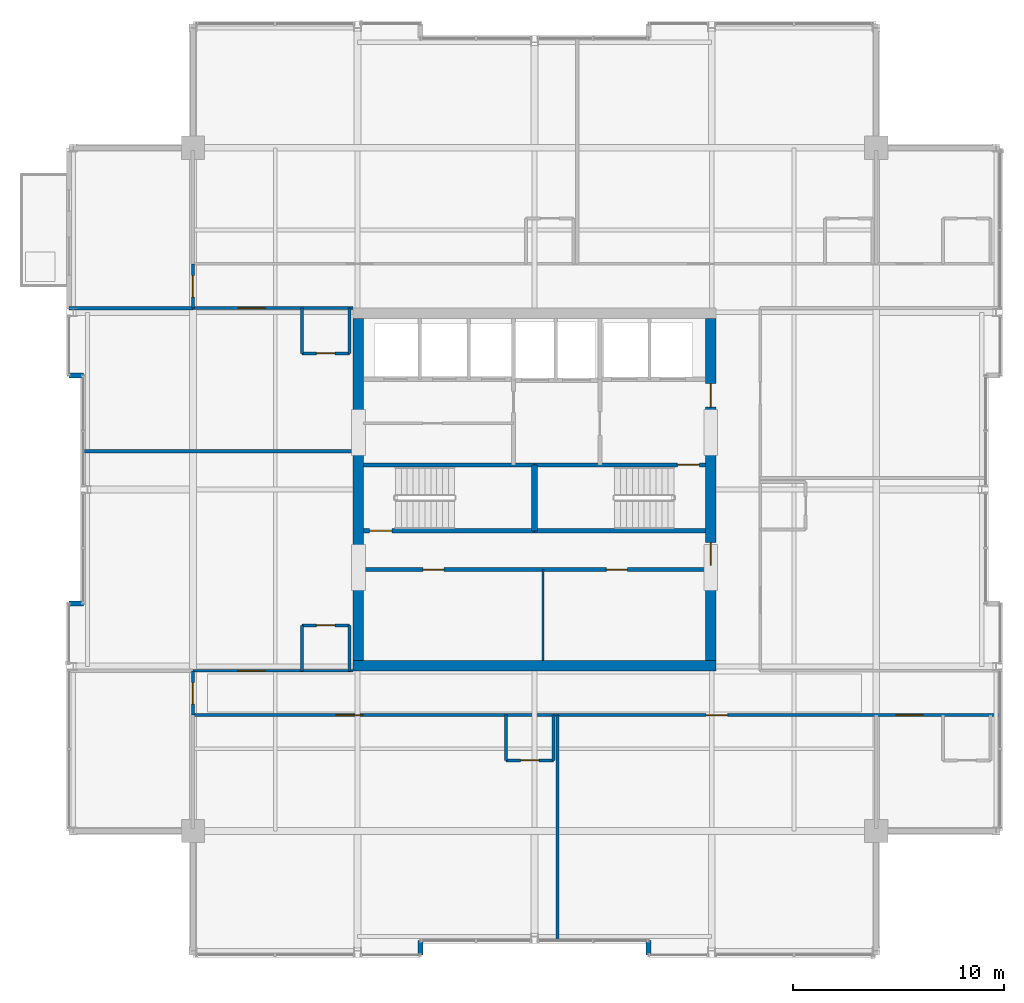
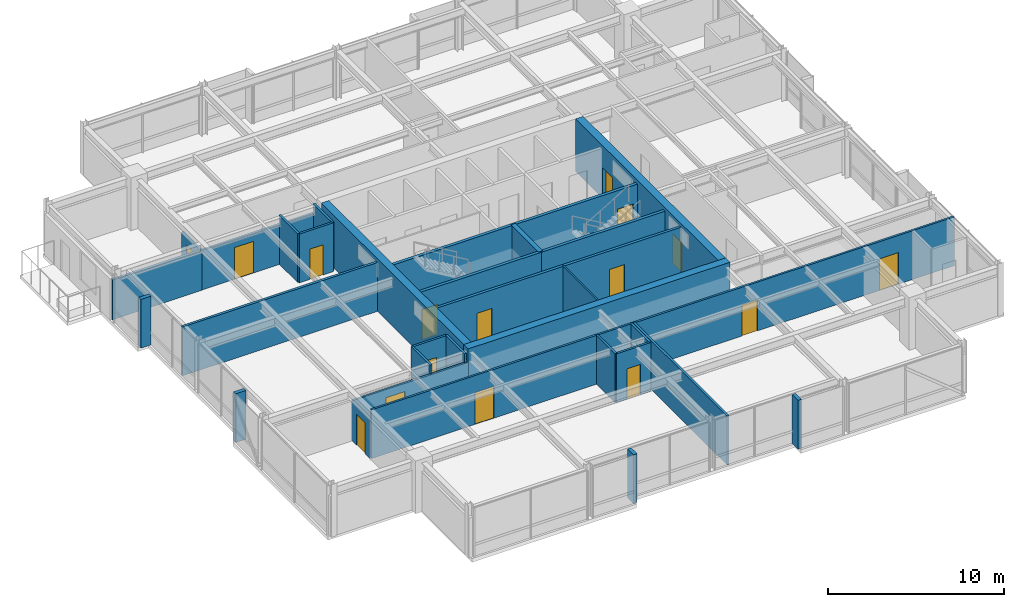
# One storey, part 28 of 33: 31 walls, 16 doors, 16 openings.
"""IFC4 building model written with IfcOpenShell, lengths in metres."""

from ifc_helpers import new_model, si_unit, direction, frame, frame_2d, origin, place, context, subcontext, project, spatial, rectangle, extrude, material, layer, layer_set, type_object, element, fill, save


model = new_model("IFC4")

# Units and contexts
model_context = context("Model", 3, precision=1e-05, world=origin(), true_north=direction((0.0, 1.0)))
body_context = subcontext(model_context, "Body", "Model", "MODEL_VIEW")
ifc_project = project(units=[si_unit("LENGTHUNIT", "METRE"), si_unit("AREAUNIT", "SQUARE_METRE"), si_unit("VOLUMEUNIT", "CUBIC_METRE"), si_unit("PLANEANGLEUNIT", "RADIAN"), si_unit("MASSUNIT", "GRAM", prefix="KILO")], contexts=[model_context])

# Site, building, storey
site_placement = place(None, origin())
site = spatial("IfcSite", under=ifc_project, at=site_placement, CompositionType="ELEMENT")
building_placement = place(site_placement, origin())
building = spatial("IfcBuilding", under=site, at=building_placement, Name="Drelvath Grand Hotel", CompositionType="ELEMENT")
storey_placement = place(building_placement, frame((0.0, 0.0, 275.949951171875)))
storey = spatial("IfcBuildingStorey", under=building, at=storey_placement, Name="L72", CompositionType="ELEMENT", Elevation=275.949951171875)

# Wall
ifc_material_1 = material(Name="Gypsum Partition Board")
ifc_layer_1 = layer(ifc_material_1, 0.10009765625)
ifc_layer_set_1 = layer_set([ifc_layer_1], Name="Gypsum Partition Board")
wall_type_1 = type_object("IfcWallType", Name="Core Closet Partition 100", PredefinedType="PARTITIONING", material=ifc_layer_set_1)
wall_1_placement = place(storey_placement, frame((0.39990234375, 18.89990234375, 0.0), z_axis=(0.0, 0.0, 1.0), x_axis=(0.0, 1.0, 0.0)))
element("IfcWall", 1, at=wall_1_placement, inside=storey, type_object=wall_type_1, Name="L72 Upper Core Split 0", PredefinedType="PARTITIONING", context=body_context, shape_type="SweptSolid", body=[
    extrude(rectangle(XDim=4.300048828125, YDim=0.10009765625, at=frame_2d((2.14990234375, 0.0))), origin(), (0.0, 0.0, 1.0), 3.39013671875),
])

# Wall, opening, door
ifc_material_2 = material(Name="Concrete C40/50", Category="concrete")
ifc_layer_2 = layer(ifc_material_2, 0.199951171875)
ifc_layer_set_2 = layer_set([ifc_layer_2], Name="Concrete C40/50")
wall_type_2 = type_object("IfcWallType", Name="Core Shaft Fire Wall 200", PredefinedType="SOLIDWALL", material=ifc_layer_set_2)
wall_2_placement = place(storey_placement, frame((-8.10009765625, 25.0400390625, 0.0), z_axis=(0.0, 0.0, 1.0), x_axis=(1.0, 0.0, 0.0)))
wall_2 = element("IfcWall", 2, at=wall_2_placement, inside=storey, type_object=wall_type_2, Name="L72 Stair ST-1 South Wall", PredefinedType="SOLIDWALL", context=body_context, shape_type="SweptSolid", body=[
    extrude(rectangle(XDim=8.10009765625, YDim=0.199951171875, at=frame_2d((4.050048828125, 0.0))), origin(), (0.0, 0.0, 1.0), 3.39013671875),
])
opening_1_placement = place(wall_2_placement, frame((0.280029296875, 0.0, 0.0)))
opening_1 = element("IfcOpeningElement", 3, at=opening_1_placement, cuts=wall_2, Name="Opening D-T5G2-001", PredefinedType="OPENING", context=body_context, shape_type="SweptSolid", body=[
    extrude(rectangle(XDim=1.050048828125, YDim=2.10009765625, at=frame_2d((0.52490234375, 1.050048828125))), frame((0.0, 0.10986328125, 0.0), z_axis=(0.0, -1.0, 0.0), x_axis=(1.0, 0.0, 0.0)), (0.0, 0.0, 1.0), 0.219970703125),
])
ifc_material_3 = material(Name="Painted Steel S275", Category="steel")
door_type_1 = type_object("IfcDoorType", Name="Tower Stairwell Fire Door 1050x2100", OperationType="NOTDEFINED", PredefinedType="DOOR", material=ifc_material_3)
door_1_placement = place(opening_1_placement, origin())
door_1 = element("IfcDoor", 4, at=door_1_placement, inside=storey, type_object=door_type_1, Name="L72 Exit Stair ST-1 Door", OperationType="SINGLE_SWING_LEFT", OverallHeight=2.10009765625, OverallWidth=1.050048828125, PredefinedType="DOOR", context=body_context, shape_type="SweptSolid", body=[
    extrude(rectangle(XDim=1.050048828125, YDim=2.10009765625, at=frame_2d((0.52490234375, 1.050048828125))), frame((0.0, 0.02490234375, 0.0), z_axis=(0.0, -1.0, 0.0), x_axis=(1.0, 0.0, 0.0)), (0.0, 0.0, 1.0), 0.050048828125),
])
fill(opening_1, door_1)

# Walls
for number, where, z_axis, x_axis, name in (
    (5, (-8.10009765625, 28.159912109375, 0.0), (0.0, 0.0, 1.0), (1.0, 0.0, 0.0), "L72 Stair ST-1 North Wall"),
    (6, (0.0, 25.0400390625, 0.0), (0.0, 0.0, 1.0), (1.0, 0.0, 0.0), "L72 Stair ST-2 South Wall"),
):
    element("IfcWall", number, at=place(storey_placement, frame(where, z_axis=z_axis, x_axis=x_axis)), inside=storey, type_object=wall_type_2, Name=name, PredefinedType="SOLIDWALL", context=body_context, shape_type="SweptSolid", body=[
        extrude(rectangle(XDim=8.10009765625, YDim=0.199951171875, at=frame_2d((4.050048828125, 0.0))), origin(), (0.0, 0.0, 1.0), 3.39013671875),
    ])

# Wall, opening, door
wall_3_placement = place(storey_placement, frame((8.10009765625, 28.159912109375, 0.0), z_axis=(0.0, 0.0, 1.0), x_axis=(-1.0, 0.0, 0.0)))
wall_3 = element("IfcWall", 7, at=wall_3_placement, inside=storey, type_object=wall_type_2, Name="L72 Stair ST-2 North Wall", PredefinedType="SOLIDWALL", context=body_context, shape_type="SweptSolid", body=[
    extrude(rectangle(XDim=8.10009765625, YDim=0.199951171875, at=frame_2d((4.050048828125, 0.0))), origin(), (0.0, 0.0, 1.0), 3.39013671875),
])
opening_2_placement = place(wall_3_placement, frame((0.280029296875, 0.0, 0.0)))
opening_2 = element("IfcOpeningElement", 8, at=opening_2_placement, cuts=wall_3, Name="Opening D-T5G2-002", PredefinedType="OPENING", context=body_context, shape_type="SweptSolid", body=[
    extrude(rectangle(XDim=1.050048828125, YDim=2.10009765625, at=frame_2d((0.52490234375, 1.050048828125))), frame((0.0, 0.10986328125, 0.0), z_axis=(0.0, -1.0, 0.0), x_axis=(1.0, 0.0, 0.0)), (0.0, 0.0, 1.0), 0.219970703125),
])
door_2_placement = place(opening_2_placement, origin())
door_2 = element("IfcDoor", 9, at=door_2_placement, inside=storey, type_object=door_type_1, Name="L72 Exit Stair ST-2 Door", OperationType="SINGLE_SWING_LEFT", OverallHeight=2.10009765625, OverallWidth=1.050048828125, PredefinedType="DOOR", context=body_context, shape_type="SweptSolid", body=[
    extrude(rectangle(XDim=1.050048828125, YDim=2.10009765625, at=frame_2d((0.52490234375, 1.050048828125))), frame((0.0, 0.02490234375, 0.0), z_axis=(0.0, -1.0, 0.0), x_axis=(1.0, 0.0, 0.0)), (0.0, 0.0, 1.0), 0.050048828125),
])
fill(opening_2, door_2)

# Wall
ifc_layer_3 = layer(ifc_material_2, 0.300048828125)
ifc_layer_set_3 = layer_set([ifc_layer_3], Name="Concrete C40/50")
wall_type_3 = type_object("IfcWallType", Name="Core Shaft Fire Wall 300", PredefinedType="SOLIDWALL", material=ifc_layer_set_3)
wall_4_placement = place(storey_placement, frame((0.0, 25.0400390625, 0.0), z_axis=(0.0, 0.0, 1.0), x_axis=(0.0, 1.0, 0.0)))
element("IfcWall", 10, at=wall_4_placement, inside=storey, type_object=wall_type_3, Name="L72 Core Stair Divider Wall", PredefinedType="SOLIDWALL", context=body_context, shape_type="SweptSolid", body=[
    extrude(rectangle(XDim=3.119873046875, YDim=0.300048828125, at=frame_2d((1.56005859375, 0.0))), origin(), (0.0, 0.0, 1.0), 3.39013671875),
])

# Wall, openings, doors
ifc_material_4 = material(Name="Gypsum Fireboard Partition")
ifc_layer_4 = layer(ifc_material_4, 0.135009765625)
ifc_layer_set_4 = layer_set([ifc_layer_4], Name="Gypsum Fireboard Partition")
wall_type_4 = type_object("IfcWallType", Name="Corridor Fire Barrier Wall 135", PredefinedType="PARTITIONING", material=ifc_layer_set_4)
wall_5_placement = place(storey_placement, frame((-16.199951171875, 16.300048828125, 0.0), z_axis=(0.0, 0.0, 1.0), x_axis=(1.0, 0.0, 0.0)))
wall_5 = element("IfcWall", 11, at=wall_5_placement, inside=storey, type_object=wall_type_4, Name="L72 South Cross-Gallery Wall", PredefinedType="PARTITIONING", context=body_context, shape_type="SweptSolid", body=[
    extrude(rectangle(XDim=38.280029296875, YDim=0.135009765625, at=frame_2d((19.14013671875, 0.0))), origin(), (0.0, 0.0, 1.0), 3.39013671875),
])
opening_3_placement = place(wall_5_placement, frame((33.35498046875, 0.0, 0.0)))
opening_3 = element("IfcOpeningElement", 12, at=opening_3_placement, cuts=wall_5, Name="Opening D-T5G2-020", PredefinedType="OPENING", context=body_context, shape_type="SweptSolid", body=[
    extrude(rectangle(XDim=1.260009765625, YDim=2.199951171875, at=frame_2d((0.6298828125, 1.10009765625))), frame((0.0, 0.077392578125, 0.0), z_axis=(0.0, -1.0, 0.0), x_axis=(1.0, 0.0, 0.0)), (0.0, 0.0, 1.0), 0.155029296875),
])
opening_4_placement = place(wall_5_placement, frame((6.794921875, 0.0, 0.0)))
opening_4 = element("IfcOpeningElement", 13, at=opening_4_placement, cuts=wall_5, Name="Opening D-T5G2-024", PredefinedType="OPENING", context=body_context, shape_type="SweptSolid", body=[
    extrude(rectangle(XDim=1.260009765625, YDim=2.199951171875, at=frame_2d((0.6298828125, 1.10009765625))), frame((0.0, 0.077392578125, 0.0), z_axis=(0.0, -1.0, 0.0), x_axis=(1.0, 0.0, 0.0)), (0.0, 0.0, 1.0), 0.155029296875),
])
opening_5_placement = place(wall_5_placement, frame((24.330078125, 0.0, 0.0)))
opening_5 = element("IfcOpeningElement", 14, at=opening_5_placement, cuts=wall_5, Name="Opening D-T5G2-025", PredefinedType="OPENING", context=body_context, shape_type="SweptSolid", body=[
    extrude(rectangle(XDim=1.02001953125, YDim=2.14990234375, at=frame_2d((0.510009765625, 1.074951171875))), frame((0.0, 0.077392578125, 0.0), z_axis=(0.0, -1.0, 0.0), x_axis=(1.0, 0.0, 0.0)), (0.0, 0.0, 1.0), 0.155029296875),
])
ifc_material_5 = material(Name="Hardwood Walnut Timber", Category="wood")
door_type_2 = type_object("IfcDoorType", Name="Amenity Meeting Fire Door 1020x2150", OperationType="NOTDEFINED", PredefinedType="DOOR", material=ifc_material_5)
door_3_placement = place(opening_5_placement, origin())
door_3 = element("IfcDoor", 15, at=door_3_placement, inside=storey, type_object=door_type_2, Name="L72 Presidential Boardroom Entry Door", OperationType="SINGLE_SWING_RIGHT", OverallHeight=2.14990234375, OverallWidth=1.02001953125, PredefinedType="DOOR", context=body_context, shape_type="SweptSolid", body=[
    extrude(rectangle(XDim=1.02001953125, YDim=2.14990234375, at=frame_2d((0.510009765625, 1.074951171875))), frame((0.0, 0.02490234375, 0.0), z_axis=(0.0, -1.0, 0.0), x_axis=(1.0, 0.0, 0.0)), (0.0, 0.0, 1.0), 0.050048828125),
])
fill(opening_5, door_3)
door_type_3 = type_object("IfcDoorType", Name="Suite Entrance Fire Door 1260x2200", OperationType="NOTDEFINED", PredefinedType="DOOR", material=ifc_material_5)
door_4_placement = place(opening_3_placement, origin())
door_4 = element("IfcDoor", 16, at=door_4_placement, inside=storey, type_object=door_type_3, Name="L72 Royal Suite Entry Door", OperationType="SINGLE_SWING_LEFT", OverallHeight=2.199951171875, OverallWidth=1.260009765625, PredefinedType="DOOR", context=body_context, shape_type="SweptSolid", body=[
    extrude(rectangle(XDim=1.260009765625, YDim=2.199951171875, at=frame_2d((0.6298828125, 1.10009765625))), frame((0.0, 0.02490234375, 0.0), z_axis=(0.0, -1.0, 0.0), x_axis=(1.0, 0.0, 0.0)), (0.0, 0.0, 1.0), 0.050048828125),
])
fill(opening_3, door_4)
door_5_placement = place(opening_4_placement, origin())
door_5 = element("IfcDoor", 17, at=door_5_placement, inside=storey, type_object=door_type_3, Name="L72 Royal Suite Entry Door", OperationType="SINGLE_SWING_LEFT", OverallHeight=2.199951171875, OverallWidth=1.260009765625, PredefinedType="DOOR", context=body_context, shape_type="SweptSolid", body=[
    extrude(rectangle(XDim=1.260009765625, YDim=2.199951171875, at=frame_2d((0.6298828125, 1.10009765625))), frame((0.0, 0.02490234375, 0.0), z_axis=(0.0, -1.0, 0.0), x_axis=(1.0, 0.0, 0.0)), (0.0, 0.0, 1.0), 0.050048828125),
])
fill(opening_4, door_5)

# Wall, opening, door
wall_6_placement = place(storey_placement, frame((-16.199951171875, 18.39990234375, 0.0), z_axis=(0.0, 0.0, 1.0), x_axis=(1.0, 0.0, 0.0)))
wall_6 = element("IfcWall", 18, at=wall_6_placement, inside=storey, type_object=wall_type_4, Name="L72 South Gallery Inner West Wall", PredefinedType="PARTITIONING", context=body_context, shape_type="SweptSolid", body=[
    extrude(rectangle(XDim=7.599853515625, YDim=0.135009765625, at=frame_2d((3.7998046875, 0.0))), origin(), (0.0, 0.0, 1.0), 2.767333984375),
])
opening_6_placement = place(wall_6_placement, frame((2.155029296875, 0.0, 0.0)))
opening_6 = element("IfcOpeningElement", 19, at=opening_6_placement, cuts=wall_6, Name="Opening D-T5G2-034", PredefinedType="OPENING", context=body_context, shape_type="SweptSolid", body=[
    extrude(rectangle(XDim=1.260009765625, YDim=2.199951171875, at=frame_2d((0.6298828125, 1.10009765625))), frame((0.0, 0.077392578125, 0.0), z_axis=(0.0, -1.0, 0.0), x_axis=(1.0, 0.0, 0.0)), (0.0, 0.0, 1.0), 0.155029296875),
])
door_6_placement = place(opening_6_placement, origin())
door_6 = element("IfcDoor", 20, at=door_6_placement, inside=storey, type_object=door_type_3, Name="L72 Royal Suite Entry Door", OperationType="SINGLE_SWING_LEFT", OverallHeight=2.199951171875, OverallWidth=1.260009765625, PredefinedType="DOOR", context=body_context, shape_type="SweptSolid", body=[
    extrude(rectangle(XDim=1.260009765625, YDim=2.199951171875, at=frame_2d((0.6298828125, 1.10009765625))), frame((0.0, 0.02490234375, 0.0), z_axis=(0.0, -1.0, 0.0), x_axis=(1.0, 0.0, 0.0)), (0.0, 0.0, 1.0), 0.050048828125),
])
fill(opening_6, door_6)

wall_7_placement = place(storey_placement, frame((-16.199951171875, 35.60009765625, 0.0), z_axis=(0.0, 0.0, 1.0), x_axis=(1.0, 0.0, 0.0)))
wall_7 = element("IfcWall", 21, at=wall_7_placement, inside=storey, type_object=wall_type_4, Name="L72 North Gallery Inner West Wall", PredefinedType="PARTITIONING", context=body_context, shape_type="SweptSolid", body=[
    extrude(rectangle(XDim=7.599853515625, YDim=0.135009765625, at=frame_2d((3.7998046875, 0.0))), origin(), (0.0, 0.0, 1.0), 2.767333984375),
])
opening_7_placement = place(wall_7_placement, frame((2.155029296875, 0.0, 0.0)))
opening_7 = element("IfcOpeningElement", 22, at=opening_7_placement, cuts=wall_7, Name="Opening D-T5G2-036", PredefinedType="OPENING", context=body_context, shape_type="SweptSolid", body=[
    extrude(rectangle(XDim=1.260009765625, YDim=2.199951171875, at=frame_2d((0.6298828125, 1.10009765625))), frame((0.0, 0.077392578125, 0.0), z_axis=(0.0, -1.0, 0.0), x_axis=(1.0, 0.0, 0.0)), (0.0, 0.0, 1.0), 0.155029296875),
])
door_7_placement = place(opening_7_placement, origin())
door_7 = element("IfcDoor", 23, at=door_7_placement, inside=storey, type_object=door_type_3, Name="L72 Royal Suite Entry Door", OperationType="SINGLE_SWING_LEFT", OverallHeight=2.199951171875, OverallWidth=1.260009765625, PredefinedType="DOOR", context=body_context, shape_type="SweptSolid", body=[
    extrude(rectangle(XDim=1.260009765625, YDim=2.199951171875, at=frame_2d((0.6298828125, 1.10009765625))), frame((0.0, 0.02490234375, 0.0), z_axis=(0.0, -1.0, 0.0), x_axis=(1.0, 0.0, 0.0)), (0.0, 0.0, 1.0), 0.050048828125),
])
fill(opening_7, door_7)

wall_8_placement = place(storey_placement, frame((-16.199951171875, 16.300048828125, 0.0), z_axis=(0.0, 0.0, 1.0), x_axis=(0.0, 1.0, 0.0)))
wall_8 = element("IfcWall", 24, at=wall_8_placement, inside=storey, type_object=wall_type_4, Name="L72 South Gallery West End", PredefinedType="PARTITIONING", context=body_context, shape_type="SweptSolid", body=[
    extrude(rectangle(XDim=2.099853515625, YDim=0.135009765625, at=frame_2d((1.0498046875, 0.0))), origin(), (0.0, 0.0, 1.0), 2.763916015625),
])
opening_8_placement = place(wall_8_placement, frame((0.52001953125, 0.0, 0.0)))
opening_8 = element("IfcOpeningElement", 25, at=opening_8_placement, cuts=wall_8, Name="Opening D-T5G2-017", PredefinedType="OPENING", context=body_context, shape_type="SweptSolid", body=[
    extrude(rectangle(XDim=1.02001953125, YDim=2.14990234375, at=frame_2d((0.510009765625, 1.074951171875))), frame((0.0, 0.077392578125, 0.0), z_axis=(0.0, -1.0, 0.0), x_axis=(1.0, 0.0, 0.0)), (0.0, 0.0, 1.0), 0.155029296875),
])
door_8_placement = place(opening_8_placement, origin())
door_8 = element("IfcDoor", 26, at=door_8_placement, inside=storey, type_object=door_type_2, Name="L72 Corner Panorama Lounge Door", OperationType="SINGLE_SWING_RIGHT", OverallHeight=2.14990234375, OverallWidth=1.02001953125, PredefinedType="DOOR", context=body_context, shape_type="SweptSolid", body=[
    extrude(rectangle(XDim=1.02001953125, YDim=2.14990234375, at=frame_2d((0.510009765625, 1.074951171875))), frame((0.0, 0.02490234375, 0.0), z_axis=(0.0, -1.0, 0.0), x_axis=(1.0, 0.0, 0.0)), (0.0, 0.0, 1.0), 0.050048828125),
])
fill(opening_8, door_8)

wall_9_placement = place(storey_placement, frame((-16.199951171875, 35.60009765625, 0.0), z_axis=(0.0, 0.0, 1.0), x_axis=(0.0, 1.0, 0.0)))
wall_9 = element("IfcWall", 27, at=wall_9_placement, inside=storey, type_object=wall_type_4, Name="L72 North Gallery West End", PredefinedType="PARTITIONING", context=body_context, shape_type="SweptSolid", body=[
    extrude(rectangle(XDim=2.099853515625, YDim=0.135009765625, at=frame_2d((1.0498046875, 0.0))), origin(), (0.0, 0.0, 1.0), 2.763916015625),
])
opening_9_placement = place(wall_9_placement, frame((0.52001953125, 0.0, 0.0)))
opening_9 = element("IfcOpeningElement", 28, at=opening_9_placement, cuts=wall_9, Name="Opening D-T5G2-018", PredefinedType="OPENING", context=body_context, shape_type="SweptSolid", body=[
    extrude(rectangle(XDim=1.02001953125, YDim=2.14990234375, at=frame_2d((0.510009765625, 1.074951171875))), frame((0.0, 0.077392578125, 0.0), z_axis=(0.0, -1.0, 0.0), x_axis=(1.0, 0.0, 0.0)), (0.0, 0.0, 1.0), 0.155029296875),
])
door_9_placement = place(opening_9_placement, origin())
door_9 = element("IfcDoor", 29, at=door_9_placement, inside=storey, type_object=door_type_2, Name="L72 Corner Panorama Lounge Door", OperationType="SINGLE_SWING_LEFT", OverallHeight=2.14990234375, OverallWidth=1.02001953125, PredefinedType="DOOR", context=body_context, shape_type="SweptSolid", body=[
    extrude(rectangle(XDim=1.02001953125, YDim=2.14990234375, at=frame_2d((0.510009765625, 1.074951171875))), frame((0.0, 0.02490234375, 0.0), z_axis=(0.0, -1.0, 0.0), x_axis=(1.0, 0.0, 0.0)), (0.0, 0.0, 1.0), 0.050048828125),
])
fill(opening_9, door_9)

# Walls
ifc_material_6 = material(Name="Moisture-Resistant Gypsum Board")
ifc_layer_5 = layer(ifc_material_6, 0.139892578125)
ifc_layer_set_5 = layer_set([ifc_layer_5], Name="Moisture-Resistant Gypsum Board")
wall_type_5 = type_object("IfcWallType", Name="En-Suite Plumbing Wall 140", PredefinedType="PLUMBINGWALL", material=ifc_layer_set_5)
for number, where, z_axis, x_axis, name in (
    (30, (-1.35009765625, 16.300048828125, 0.0), (0.0, 0.0, 1.0), (0.0, -1.0, 0.0), "L72 En-Suite Left Wall"),
    (31, (0.89990234375, 16.300048828125, 0.0), (0.0, 0.0, 1.0), (0.0, -1.0, 0.0), "L72 En-Suite Right Wall"),
):
    element("IfcWall", number, at=place(storey_placement, frame(where, z_axis=z_axis, x_axis=x_axis)), inside=storey, type_object=wall_type_5, Name=name, PredefinedType="PLUMBINGWALL", context=body_context, shape_type="SweptSolid", body=[
        extrude(rectangle(XDim=2.150146484375, YDim=0.139892578125, at=frame_2d((1.0751953125, 0.0))), origin(), (0.0, 0.0, 1.0), 3.39013671875),
    ])

# Wall, opening, door
wall_10_placement = place(storey_placement, frame((-1.35009765625, 14.14990234375, 0.0), z_axis=(0.0, 0.0, 1.0), x_axis=(1.0, 0.0, 0.0)))
wall_10 = element("IfcWall", 32, at=wall_10_placement, inside=storey, type_object=wall_type_5, Name="L72 En-Suite Front Wall", PredefinedType="PLUMBINGWALL", context=body_context, shape_type="SweptSolid", body=[
    extrude(rectangle(XDim=2.25, YDim=0.139892578125, at=frame_2d((1.125, 0.0))), origin(), (0.0, 0.0, 1.0), 3.39013671875),
])
opening_10_placement = place(wall_10_placement, frame((0.68505859375, 0.0, 0.0)))
opening_10 = element("IfcOpeningElement", 33, at=opening_10_placement, cuts=wall_10, Name="Opening D-T5G2-023", PredefinedType="OPENING", context=body_context, shape_type="SweptSolid", body=[
    extrude(rectangle(XDim=0.8798828125, YDim=2.10009765625, at=frame_2d((0.43994140625, 1.050048828125))), frame((0.0, 0.079833984375, 0.0), z_axis=(0.0, -1.0, 0.0), x_axis=(1.0, 0.0, 0.0)), (0.0, 0.0, 1.0), 0.159912109375),
])
door_type_4 = type_object("IfcDoorType", Name="En-Suite Bathroom Door 880x2100", OperationType="NOTDEFINED", PredefinedType="DOOR", material=ifc_material_5)
door_10_placement = place(opening_10_placement, origin())
door_10 = element("IfcDoor", 34, at=door_10_placement, inside=storey, type_object=door_type_4, Name="L72 En-Suite Bathroom Door", OperationType="SINGLE_SWING_RIGHT", OverallHeight=2.10009765625, OverallWidth=0.8798828125, PredefinedType="DOOR", context=body_context, shape_type="SweptSolid", body=[
    extrude(rectangle(XDim=0.8798828125, YDim=2.10009765625, at=frame_2d((0.43994140625, 1.050048828125))), frame((0.0, 0.02490234375, 0.0), z_axis=(0.0, -1.0, 0.0), x_axis=(1.0, 0.0, 0.0)), (0.0, 0.0, 1.0), 0.050048828125),
])
fill(opening_10, door_10)

# Walls
for number, where, z_axis, x_axis, name in (
    (35, (-11.030029296875, 18.39990234375, 0.0), (0.0, 0.0, 1.0), (0.0, 1.0, 0.0), "L72 En-Suite Left Wall"),
    (36, (-8.780029296875, 18.39990234375, 0.0), (0.0, 0.0, 1.0), (0.0, 1.0, 0.0), "L72 En-Suite Right Wall"),
):
    element("IfcWall", number, at=place(storey_placement, frame(where, z_axis=z_axis, x_axis=x_axis)), inside=storey, type_object=wall_type_5, Name=name, PredefinedType="PLUMBINGWALL", context=body_context, shape_type="SweptSolid", body=[
        extrude(rectangle(XDim=2.150146484375, YDim=0.139892578125, at=frame_2d((1.0751953125, 0.0))), origin(), (0.0, 0.0, 1.0), 3.39013671875),
    ])

# Wall, opening, door
wall_11_placement = place(storey_placement, frame((-11.030029296875, 20.550048828125, 0.0), z_axis=(0.0, 0.0, 1.0), x_axis=(1.0, 0.0, 0.0)))
wall_11 = element("IfcWall", 37, at=wall_11_placement, inside=storey, type_object=wall_type_5, Name="L72 En-Suite Front Wall", PredefinedType="PLUMBINGWALL", context=body_context, shape_type="SweptSolid", body=[
    extrude(rectangle(XDim=2.25, YDim=0.139892578125, at=frame_2d((1.125, 0.0))), origin(), (0.0, 0.0, 1.0), 3.39013671875),
])
opening_11_placement = place(wall_11_placement, frame((0.68505859375, 0.0, 0.0)))
opening_11 = element("IfcOpeningElement", 38, at=opening_11_placement, cuts=wall_11, Name="Opening D-T5G2-033", PredefinedType="OPENING", context=body_context, shape_type="SweptSolid", body=[
    extrude(rectangle(XDim=0.8798828125, YDim=2.10009765625, at=frame_2d((0.43994140625, 1.050048828125))), frame((0.0, 0.079833984375, 0.0), z_axis=(0.0, -1.0, 0.0), x_axis=(1.0, 0.0, 0.0)), (0.0, 0.0, 1.0), 0.159912109375),
])
door_11_placement = place(opening_11_placement, origin())
door_11 = element("IfcDoor", 39, at=door_11_placement, inside=storey, type_object=door_type_4, Name="L72 En-Suite Bathroom Door", OperationType="SINGLE_SWING_RIGHT", OverallHeight=2.10009765625, OverallWidth=0.8798828125, PredefinedType="DOOR", context=body_context, shape_type="SweptSolid", body=[
    extrude(rectangle(XDim=0.8798828125, YDim=2.10009765625, at=frame_2d((0.43994140625, 1.050048828125))), frame((0.0, 0.02490234375, 0.0), z_axis=(0.0, -1.0, 0.0), x_axis=(1.0, 0.0, 0.0)), (0.0, 0.0, 1.0), 0.050048828125),
])
fill(opening_11, door_11)

# Walls
for number, where, z_axis, x_axis, name in (
    (40, (-11.030029296875, 35.60009765625, 0.0), (0.0, 0.0, 1.0), (0.0, -1.0, 0.0), "L72 En-Suite Left Wall"),
    (41, (-8.780029296875, 35.60009765625, 0.0), (0.0, 0.0, 1.0), (0.0, -1.0, 0.0), "L72 En-Suite Right Wall"),
):
    element("IfcWall", number, at=place(storey_placement, frame(where, z_axis=z_axis, x_axis=x_axis)), inside=storey, type_object=wall_type_5, Name=name, PredefinedType="PLUMBINGWALL", context=body_context, shape_type="SweptSolid", body=[
        extrude(rectangle(XDim=2.150146484375, YDim=0.139892578125, at=frame_2d((1.0751953125, 0.0))), origin(), (0.0, 0.0, 1.0), 3.39013671875),
    ])

# Wall, opening, door
wall_12_placement = place(storey_placement, frame((-11.030029296875, 33.449951171875, 0.0), z_axis=(0.0, 0.0, 1.0), x_axis=(1.0, 0.0, 0.0)))
wall_12 = element("IfcWall", 42, at=wall_12_placement, inside=storey, type_object=wall_type_5, Name="L72 En-Suite Front Wall", PredefinedType="PLUMBINGWALL", context=body_context, shape_type="SweptSolid", body=[
    extrude(rectangle(XDim=2.25, YDim=0.139892578125, at=frame_2d((1.125, 0.0))), origin(), (0.0, 0.0, 1.0), 3.39013671875),
])
opening_12_placement = place(wall_12_placement, frame((0.68505859375, 0.0, 0.0)))
opening_12 = element("IfcOpeningElement", 43, at=opening_12_placement, cuts=wall_12, Name="Opening D-T5G2-035", PredefinedType="OPENING", context=body_context, shape_type="SweptSolid", body=[
    extrude(rectangle(XDim=0.8798828125, YDim=2.10009765625, at=frame_2d((0.43994140625, 1.050048828125))), frame((0.0, 0.079833984375, 0.0), z_axis=(0.0, -1.0, 0.0), x_axis=(1.0, 0.0, 0.0)), (0.0, 0.0, 1.0), 0.159912109375),
])
door_12_placement = place(opening_12_placement, origin())
door_12 = element("IfcDoor", 44, at=door_12_placement, inside=storey, type_object=door_type_4, Name="L72 En-Suite Bathroom Door", OperationType="SINGLE_SWING_RIGHT", OverallHeight=2.10009765625, OverallWidth=0.8798828125, PredefinedType="DOOR", context=body_context, shape_type="SweptSolid", body=[
    extrude(rectangle(XDim=0.8798828125, YDim=2.10009765625, at=frame_2d((0.43994140625, 1.050048828125))), frame((0.0, 0.02490234375, 0.0), z_axis=(0.0, -1.0, 0.0), x_axis=(1.0, 0.0, 0.0)), (0.0, 0.0, 1.0), 0.050048828125),
])
fill(opening_12, door_12)

# Wall, openings, doors
ifc_layer_6 = layer(ifc_material_4, 0.179931640625)
ifc_layer_set_6 = layer_set([ifc_layer_6], Name="Gypsum Fireboard Partition")
wall_type_6 = type_object("IfcWallType", Name="FSAE Smoke Lobby Fire Wall 180", PredefinedType="SOLIDWALL", material=ifc_layer_set_6)
wall_13_placement = place(storey_placement, frame((-8.10009765625, 23.199951171875, 0.0), z_axis=(0.0, 0.0, 1.0), x_axis=(1.0, 0.0, 0.0)))
wall_13 = element("IfcWall", 45, at=wall_13_placement, inside=storey, type_object=wall_type_6, Name="L72 Upper Reclaimed Core Wall", PredefinedType="SOLIDWALL", context=body_context, shape_type="SweptSolid", body=[
    extrude(rectangle(XDim=16.2001953125, YDim=0.179931640625, at=frame_2d((8.10009765625, 0.0))), origin(), (0.0, 0.0, 1.0), 3.39013671875),
])
opening_13_placement = place(wall_13_placement, frame((2.800048828125, 0.0, 0.0)))
opening_13 = element("IfcOpeningElement", 46, at=opening_13_placement, cuts=wall_13, Name="Opening D-T5G2-015", PredefinedType="OPENING", context=body_context, shape_type="SweptSolid", body=[
    extrude(rectangle(XDim=1.0, YDim=2.10009765625, at=frame_2d((0.5, 1.050048828125))), frame((0.0, 0.099853515625, 0.0), z_axis=(0.0, -1.0, 0.0), x_axis=(1.0, 0.0, 0.0)), (0.0, 0.0, 1.0), 0.199951171875),
])
opening_14_placement = place(wall_13_placement, frame((11.5, 0.0, 0.0)))
opening_14 = element("IfcOpeningElement", 47, at=opening_14_placement, cuts=wall_13, Name="Opening D-T5G2-016", PredefinedType="OPENING", context=body_context, shape_type="SweptSolid", body=[
    extrude(rectangle(XDim=1.0, YDim=2.10009765625, at=frame_2d((0.5, 1.050048828125))), frame((0.0, 0.099853515625, 0.0), z_axis=(0.0, -1.0, 0.0), x_axis=(1.0, 0.0, 0.0)), (0.0, 0.0, 1.0), 0.199951171875),
])
door_type_5 = type_object("IfcDoorType", Name="Core Service Fire Door 1000x2100", OperationType="NOTDEFINED", PredefinedType="DOOR", material=ifc_material_3)
door_13_placement = place(opening_13_placement, origin())
door_13 = element("IfcDoor", 48, at=door_13_placement, inside=storey, type_object=door_type_5, Name="L72 Housekeeping Door", OperationType="SINGLE_SWING_RIGHT", OverallHeight=2.10009765625, OverallWidth=1.0, PredefinedType="DOOR", context=body_context, shape_type="SweptSolid", body=[
    extrude(rectangle(XDim=1.0, YDim=2.10009765625, at=frame_2d((0.5, 1.050048828125))), frame((0.0, 0.02490234375, 0.0), z_axis=(0.0, -1.0, 0.0), x_axis=(1.0, 0.0, 0.0)), (0.0, 0.0, 1.0), 0.050048828125),
])
fill(opening_13, door_13)
door_14_placement = place(opening_14_placement, origin())
door_14 = element("IfcDoor", 49, at=door_14_placement, inside=storey, type_object=door_type_5, Name="L72 Butler Pantry Door", OperationType="SINGLE_SWING_LEFT", OverallHeight=2.10009765625, OverallWidth=1.0, PredefinedType="DOOR", context=body_context, shape_type="SweptSolid", body=[
    extrude(rectangle(XDim=1.0, YDim=2.10009765625, at=frame_2d((0.5, 1.050048828125))), frame((0.0, 0.02490234375, 0.0), z_axis=(0.0, -1.0, 0.0), x_axis=(1.0, 0.0, 0.0)), (0.0, 0.0, 1.0), 0.050048828125),
])
fill(opening_14, door_14)

# Walls
ifc_material_7 = material(Name="Gypsum Acoustic Partition")
ifc_layer_7 = layer(ifc_material_7, 0.14990234375)
ifc_layer_set_7 = layer_set([ifc_layer_7], Name="Gypsum Acoustic Partition")
wall_type_7 = type_object("IfcWallType", Name="Guestroom Demising Wall 150", PredefinedType="PARTITIONING", material=ifc_layer_set_7)
wall_14_placement = place(storey_placement, frame((1.080078125, 5.60009765625, 0.0), z_axis=(0.0, 0.0, 1.0), x_axis=(0.0, 1.0, 0.0)))
element("IfcWall", 50, at=wall_14_placement, inside=storey, type_object=wall_type_7, Name="L72 South Demising 1", PredefinedType="PARTITIONING", context=body_context, shape_type="SweptSolid", body=[
    extrude(rectangle(XDim=10.699951171875, YDim=0.14990234375, at=frame_2d((5.35009765625, 0.0))), origin(), (0.0, 0.0, 1.0), 3.39013671875),
])
ifc_layer_8 = layer(ifc_material_7, 0.1650390625)
ifc_layer_set_8 = layer_set([ifc_layer_8], Name="Gypsum Acoustic Partition")
wall_type_8 = type_object("IfcWallType", Name="Suite Demising Wall 165", PredefinedType="PARTITIONING", material=ifc_layer_set_8)
wall_15_placement = place(storey_placement, frame((-22.080078125, 35.60009765625, 0.0), z_axis=(0.0, 0.0, 1.0), x_axis=(1.0, 0.0, 0.0)))
element("IfcWall", 51, at=wall_15_placement, inside=storey, type_object=wall_type_8, Name="L72 NW Corner South Wall", PredefinedType="PARTITIONING", context=body_context, shape_type="SweptSolid", body=[
    extrude(rectangle(XDim=5.880126953125, YDim=0.1650390625, at=frame_2d((2.93994140625, 0.0))), origin(), (0.0, 0.0, 1.0), 2.763916015625),
])
wall_16_placement = place(storey_placement, frame((-21.39990234375, 28.800048828125, 0.0), z_axis=(0.0, 0.0, 1.0), x_axis=(1.0, 0.0, 0.0)))
element("IfcWall", 52, at=wall_16_placement, inside=storey, type_object=wall_type_8, Name="L72 West Grand Suite Split Wall", PredefinedType="PARTITIONING", context=body_context, shape_type="SweptSolid", body=[
    extrude(rectangle(XDim=12.7998046875, YDim=0.1650390625, at=frame_2d((6.39990234375, 0.0))), origin(), (0.0, 0.0, 1.0), 3.39013671875),
])
ifc_material_8 = material(Name="Pale-Metal Insulated Aluminium Spandrel Assembly", Category="aluminium")
ifc_layer_9 = layer(ifc_material_8, 0.239990234375)
ifc_layer_set_9 = layer_set([ifc_layer_9], Name="Pale-Metal Insulated Aluminium Spandrel Assembly")
wall_type_9 = type_object("IfcWallType", Name="Tower Insulated Metal Spandrel Closure Wall 240", PredefinedType="STANDARD", material=ifc_layer_set_9)
for number, where, z_axis, x_axis, name in (
    (53, (-22.080078125, 21.60009765625, 0.0), (0.0, 0.0, 1.0), (1.0, 0.0, 0.0), "L72 Notched Corner Return Spandrel Wall RW1"),
    (54, (-21.39990234375, 32.39990234375, 0.0), (0.0, 0.0, 1.0), (-1.0, 0.0, 0.0), "L72 Notched Corner Return Spandrel Wall RW2"),
    (55, (5.39990234375, 4.919921875, 0.0), (0.0, 0.0, 1.0), (0.0, 1.0, 0.0), "L72 Notched Corner Return Spandrel Wall RS1"),
    (56, (-5.39990234375, 5.60009765625, 0.0), (0.0, 0.0, 1.0), (0.0, -1.0, 0.0), "L72 Notched Corner Return Spandrel Wall RS2"),
):
    element("IfcWall", number, at=place(storey_placement, frame(where, z_axis=z_axis, x_axis=x_axis)), inside=storey, type_object=wall_type_9, Name=name, PredefinedType="STANDARD", context=body_context, shape_type="SweptSolid", body=[
        extrude(rectangle(XDim=0.68017578125, YDim=0.239990234375, at=frame_2d((0.340087890625, 0.0))), origin(), (0.0, 0.0, 1.0), 3.39013671875),
    ])

# Wall, openings, doors
ifc_material_9 = material(Name="Concrete f'c 55 MPa", Category="concrete")
ifc_layer_10 = layer(ifc_material_9, 0.5)
ifc_layer_set_10 = layer_set([ifc_layer_10], Name="Concrete f'c 55 MPa")
wall_type_10 = type_object("IfcWallType", Name="Upper Core RC Shear Wall 500", PredefinedType="SHEAR", material=ifc_layer_set_10)
wall_17_placement = place(storey_placement, frame((8.35009765625, 35.10009765625, 0.0), z_axis=(0.0, 0.0, 1.0), x_axis=(0.0, -1.0, 0.0)))
wall_17 = element("IfcWall", 57, at=wall_17_placement, inside=storey, type_object=wall_type_10, Name="L72 Central Core Shear Wall E", PredefinedType="SHEAR", context=body_context, shape_type="SweptSolid", body=[
    extrude(rectangle(XDim=16.2001953125, YDim=0.5, at=frame_2d((8.10009765625, 0.0))), origin(), (0.0, 0.0, 1.0), 3.650146484375),
])
opening_15_placement = place(wall_17_placement, frame((3.080078125, 0.0, 0.0)))
opening_15 = element("IfcOpeningElement", 58, at=opening_15_placement, cuts=wall_17, Name="Opening D-T5G2-006", PredefinedType="OPENING", context=body_context, shape_type="SweptSolid", body=[
    extrude(rectangle(XDim=1.1201171875, YDim=2.10009765625, at=frame_2d((0.56005859375, 1.050048828125))), frame((0.0, 0.260009765625, 0.0), z_axis=(0.0, -1.0, 0.0), x_axis=(1.0, 0.0, 0.0)), (0.0, 0.0, 1.0), 0.52001953125),
])
opening_16_placement = place(wall_17_placement, frame((10.6201171875, 0.0, 0.0)))
opening_16 = element("IfcOpeningElement", 59, at=opening_16_placement, cuts=wall_17, Name="Opening D-T5G2-014", PredefinedType="OPENING", context=body_context, shape_type="SweptSolid", body=[
    extrude(rectangle(XDim=1.080078125, YDim=2.0400390625, at=frame_2d((0.5400390625, 1.02001953125))), frame((0.0, 0.260009765625, 0.0), z_axis=(0.0, -1.0, 0.0), x_axis=(1.0, 0.0, 0.0)), (0.0, 0.0, 1.0), 0.52001953125),
])
door_type_6 = type_object("IfcDoorType", Name="Core Corridor Fire Door 1080x2100", OperationType="NOTDEFINED", PredefinedType="DOOR", material=ifc_material_3)
door_15_placement = place(opening_16_placement, origin())
door_15 = element("IfcDoor", 60, at=door_15_placement, inside=storey, type_object=door_type_6, Name="L72 Core Passage East Door", OperationType="SINGLE_SWING_LEFT", OverallHeight=2.0400390625, OverallWidth=1.080078125, PredefinedType="DOOR", context=body_context, shape_type="SweptSolid", body=[
    extrude(rectangle(XDim=1.080078125, YDim=2.0400390625, at=frame_2d((0.5400390625, 1.02001953125))), frame((0.0, 0.02490234375, 0.0), z_axis=(0.0, -1.0, 0.0), x_axis=(1.0, 0.0, 0.0)), (0.0, 0.0, 1.0), 0.050048828125),
])
fill(opening_16, door_15)
door_type_7 = type_object("IfcDoorType", Name="FSAE Smoke Lobby Fire Door 1120x2100", OperationType="NOTDEFINED", PredefinedType="DOOR", material=ifc_material_3)
door_16_placement = place(opening_15_placement, origin())
door_16 = element("IfcDoor", 61, at=door_16_placement, inside=storey, type_object=door_type_7, Name="L72 FSAE Lobby East Corridor Door", OperationType="SINGLE_SWING_LEFT", OverallHeight=2.10009765625, OverallWidth=1.1201171875, PredefinedType="DOOR", context=body_context, shape_type="SweptSolid", body=[
    extrude(rectangle(XDim=1.1201171875, YDim=2.10009765625, at=frame_2d((0.56005859375, 1.050048828125))), frame((0.0, 0.02490234375, 0.0), z_axis=(0.0, -1.0, 0.0), x_axis=(1.0, 0.0, 0.0)), (0.0, 0.0, 1.0), 0.050048828125),
])
fill(opening_15, door_16)

# Walls
wall_18_placement = place(storey_placement, frame((8.60009765625, 18.64990234375, 0.0), z_axis=(0.0, 0.0, 1.0), x_axis=(-1.0, 0.0, 0.0)))
element("IfcWall", 62, at=wall_18_placement, inside=storey, type_object=wall_type_10, Name="L72 Central Core Shear Wall S", PredefinedType="SHEAR", context=body_context, shape_type="SweptSolid", body=[
    extrude(rectangle(XDim=17.2001953125, YDim=0.5, at=frame_2d((8.60009765625, 0.0))), origin(), (0.0, 0.0, 1.0), 3.650146484375),
])
wall_19_placement = place(storey_placement, frame((-8.35009765625, 18.89990234375, 0.0), z_axis=(0.0, 0.0, 1.0), x_axis=(0.0, 1.0, 0.0)))
element("IfcWall", 63, at=wall_19_placement, inside=storey, type_object=wall_type_10, Name="L72 Central Core Shear Wall W", PredefinedType="SHEAR", context=body_context, shape_type="SweptSolid", body=[
    extrude(rectangle(XDim=16.2001953125, YDim=0.5, at=frame_2d((8.10009765625, 0.0))), origin(), (0.0, 0.0, 1.0), 3.650146484375),
])

save(model, "model.ifc")
